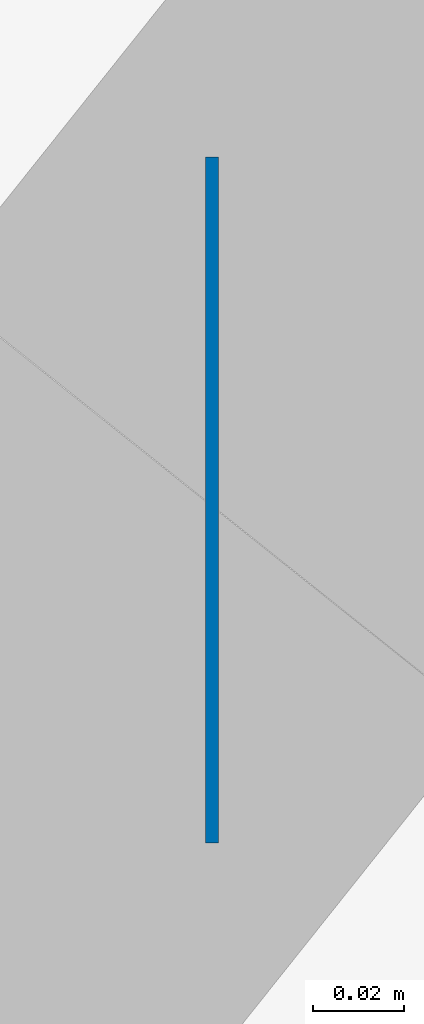
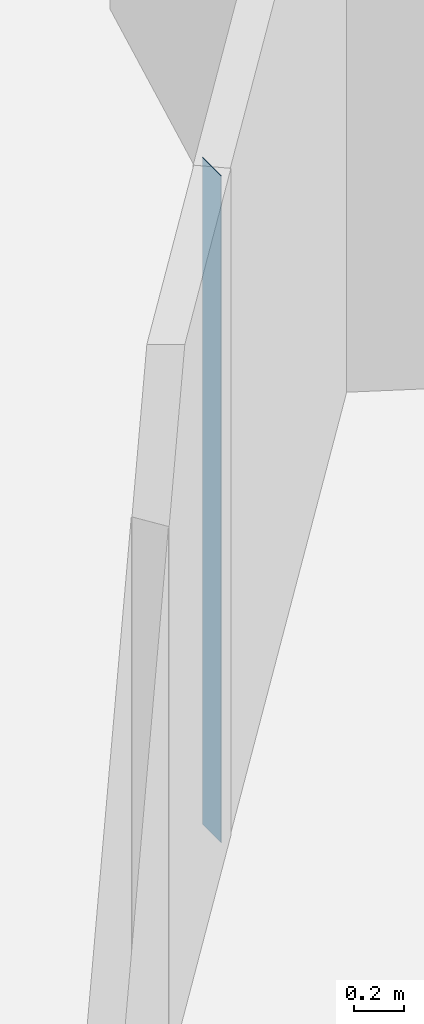
# One storey, part 5 of 12: 1 wall.
"""IFC4 building model written with IfcOpenShell, lengths in metres."""

import ifcopenshell
import ifcopenshell.guid

model = None  # the IFC model being written
_history = None  # IfcOwnerHistory: only IFC2X3 demands one
_inside = {}  # id of a spatial element -> (the spatial element, [elements in it])
_under = {}  # id of a project, library or spatial element -> (it, [spatial elements below it])
_declared = {}  # id of a project -> (the project, [libraries it declares])
_typed = {}  # id of a type object -> (the type object, [elements of that type])
_made_of = {}  # id of a material, layer set ... -> (it, [elements and type objects made of it])


def new_model(schema):
    """Start an empty IFC model of exactly this schema.

    Asked for "IFC4X3", IfcOpenShell would pick the latest addendum, in which some entities
    have other attributes; the version numbers below select the first issue.
    IFC2X3 requires an IfcOwnerHistory on every rooted entity: one is made here for all.
    """
    global model, _history
    if schema == "IFC4X3":
        model = ifcopenshell.file(schema_version=(4, 3, 0, 0))
    else:
        model = ifcopenshell.file(schema=schema)
    _inside.clear()
    _under.clear()
    _declared.clear()
    _typed.clear()
    _made_of.clear()
    _history = None
    if model.schema == "IFC2X3":
        org = make("IfcOrganization", Name="unknown")
        user = make(
            "IfcPersonAndOrganization",
            ThePerson=make("IfcPerson", FamilyName="unknown"),
            TheOrganization=org,
        )
        app = make(
            "IfcApplication",
            ApplicationDeveloper=org,
            Version="unknown",
            ApplicationFullName="unknown",
            ApplicationIdentifier="unknown",
        )
        _history = make(
            "IfcOwnerHistory",
            OwningUser=user,
            OwningApplication=app,
            ChangeAction="ADDED",
            CreationDate=0,
        )
    return model


def make(cls, **values):
    """One entity of the class cls with the attributes given. An attribute that is None is left unset."""
    return model.create_entity(
        cls, **{name: value for name, value in values.items() if value is not None}
    )


def rooted(cls, **values):
    """An entity with a GlobalId (a new one), such as an element, a storey or a relation."""
    return make(cls, GlobalId=ifcopenshell.guid.new(), OwnerHistory=_history, **values)


def si_unit(unit_type, name, prefix=None):
    """IfcSIUnit, for example si_unit("LENGTHUNIT", "METRE", prefix="MILLI")."""
    return make("IfcSIUnit", UnitType=unit_type, Prefix=prefix, Name=name)


def assignment(units):
    """IfcUnitAssignment: the units of a project."""
    return None if units is None else make("IfcUnitAssignment", Units=units)


def point(xyz):
    """IfcCartesianPoint."""
    return None if xyz is None else make("IfcCartesianPoint", Coordinates=xyz)


def direction(xyz):
    """IfcDirection."""
    return None if xyz is None else make("IfcDirection", DirectionRatios=xyz)


def frame(location, z_axis=None, x_axis=None):
    """IfcAxis2Placement3D, a coordinate frame: its origin and axes. An axis left out is left unset."""
    return make(
        "IfcAxis2Placement3D",
        Location=point(location),
        Axis=direction(z_axis),
        RefDirection=direction(x_axis),
    )


def frame_2d(location, x_axis=None):
    """IfcAxis2Placement2D, a coordinate frame in the plane: its origin and x axis."""
    return make(
        "IfcAxis2Placement2D", Location=point(location), RefDirection=direction(x_axis)
    )


def origin():
    """The frame at (0, 0, 0) with its axes left unset."""
    return frame((0.0, 0.0, 0.0))


def place(relative_to, where):
    """IfcLocalPlacement: puts the frame where relative to a parent placement (None: the world)."""
    return make(
        "IfcLocalPlacement", PlacementRelTo=relative_to, RelativePlacement=where
    )


def context(
    kind, dimensions, precision=None, world=None, true_north=None, identifier=None
):
    """IfcGeometricRepresentationContext, for example the 3D "Model" context."""
    return make(
        "IfcGeometricRepresentationContext",
        ContextIdentifier=identifier,
        ContextType=kind,
        CoordinateSpaceDimension=dimensions,
        Precision=precision,
        WorldCoordinateSystem=world,
        TrueNorth=true_north,
    )


def subcontext(parent, identifier, kind, view, scale=None):
    """IfcGeometricRepresentationSubContext, for example "Body" below "Model"."""
    return make(
        "IfcGeometricRepresentationSubContext",
        ContextIdentifier=identifier,
        ContextType=kind,
        ParentContext=parent,
        TargetScale=scale,
        TargetView=view,
    )


def project(units=None, contexts=None):
    """IfcProject with its units and contexts."""
    return rooted(
        "IfcProject",
        Name="project",
        RepresentationContexts=contexts,
        UnitsInContext=assignment(units),
    )


def spatial(cls, under=None, at=None, **own):
    """A site, building, storey or space (cls), placed at a placement, below another one or the project."""
    s = rooted(cls, ObjectPlacement=at, **own)
    if under is not None:
        _under.setdefault(under.id(), (under, []))[1].append(s)
    return s


def profile(cls, at=None, kind="AREA", **sizes):
    """A parametric profile (cls). Its sizes go by their IFC names, for example OverallWidth=200.0."""
    return make(cls, ProfileType=kind, Position=at, **sizes)


def rectangle(**sizes):
    """IfcRectangleProfileDef."""
    return profile("IfcRectangleProfileDef", **sizes)


def extrude(swept, where, along, depth):
    """IfcExtrudedAreaSolid: the profile swept, set in the frame where, extruded along a direction by depth."""
    return make(
        "IfcExtrudedAreaSolid",
        SweptArea=swept,
        Position=where,
        ExtrudedDirection=direction(along),
        Depth=depth,
    )


def shape(context_of_items, identifier, shape_type, items):
    """IfcShapeRepresentation: the items that make up one representation, for example the "Body"."""
    return make(
        "IfcShapeRepresentation",
        ContextOfItems=context_of_items,
        RepresentationIdentifier=identifier,
        RepresentationType=shape_type,
        Items=items,
    )


def material(Name=None, Category=None):
    """IfcMaterial."""
    return make("IfcMaterial", Name=Name, Category=Category)


def layer(
    of_material, thickness, ventilated=None, Name=None, Category=None, Priority=None
):
    """IfcMaterialLayer: one layer of a wall or slab, of a material (None: an air gap)."""
    return make(
        "IfcMaterialLayer",
        Material=of_material,
        LayerThickness=thickness,
        IsVentilated=ventilated,
        Name=Name,
        Category=Category,
        Priority=Priority,
    )


def layer_set(layers, Name=None):
    """IfcMaterialLayerSet."""
    return make("IfcMaterialLayerSet", MaterialLayers=layers, LayerSetName=Name)


def made_of(thing, what):
    """Note that an element or type object is made of a material, layer set ...; save() writes the relation."""
    if what is not None:
        _made_of.setdefault(what.id(), (what, []))[1].append(thing)
    return thing


def type_object(cls, material=None, **own):
    """A type object (cls), such as IfcWallType, which elements share."""
    return made_of(rooted(cls, **own), material)


def element(
    cls,
    number,
    at=None,
    inside=None,
    cuts=None,
    type_object=None,
    material=None,
    context=None,
    identifier="Body",
    shape_type=None,
    held_by="IfcProductDefinitionShape",
    body=None,
    shapes=None,
    **own,
):
    """One element of the class cls, such as IfcWall. Its Tag is "e" and its number.

    at: its placement. inside: the storey or other place that contains it. cuts: it is an
    opening in that element (IfcRelVoidsElement). A single representation is given by context,
    identifier, shape_type and body (its items); several are given by shapes. held_by: the class
    of the entity that holds the representations. save() writes the other relations.
    """
    e = rooted(cls, Tag="e%d" % number, ObjectPlacement=at, **own)
    if body is not None:
        shapes = [shape(context, identifier, shape_type, body)]
    if shapes is not None:
        e.Representation = make(held_by, Representations=shapes)
    if inside is not None:
        _inside.setdefault(inside.id(), (inside, []))[1].append(e)
    if cuts is not None:
        rooted(
            "IfcRelVoidsElement", RelatingBuildingElement=cuts, RelatedOpeningElement=e
        )
    if type_object is not None:
        _typed.setdefault(type_object.id(), (type_object, []))[1].append(e)
    return made_of(e, material)


def aggregate(whole, parts):
    """IfcRelAggregates: a whole, such as a stair, and the parts it consists of."""
    return rooted("IfcRelAggregates", RelatingObject=whole, RelatedObjects=parts)


def save(model, path):
    """Write the relations noted so far, then the file.

    IfcRelAggregates (storeys below a building ...), IfcRelContainedInSpatialStructure (elements
    in a storey), IfcRelDefinesByType, IfcRelAssociatesMaterial and IfcRelDeclares: one each for
    every whole, place, type object, material and project.
    """
    for whole, parts in _under.values():
        aggregate(whole, parts)
    for where, things in _inside.values():
        rooted(
            "IfcRelContainedInSpatialStructure",
            RelatedElements=things,
            RelatingStructure=where,
        )
    for kind, things in _typed.values():
        rooted("IfcRelDefinesByType", RelatedObjects=things, RelatingType=kind)
    for what, things in _made_of.values():
        rooted("IfcRelAssociatesMaterial", RelatedObjects=things, RelatingMaterial=what)
    for by, libraries in _declared.values():
        rooted("IfcRelDeclares", RelatingContext=by, RelatedDefinitions=libraries)
    model.write(path)


model = new_model("IFC4")

# Units and contexts
model_context = context("Model", 3, precision=1e-05, world=origin(), true_north=direction((0.0, 1.0)))
body_context = subcontext(model_context, "Body", "Model", "MODEL_VIEW")
ifc_project = project(units=[si_unit("LENGTHUNIT", "METRE"), si_unit("AREAUNIT", "SQUARE_METRE"), si_unit("VOLUMEUNIT", "CUBIC_METRE"), si_unit("PLANEANGLEUNIT", "RADIAN"), si_unit("MASSUNIT", "GRAM", prefix="KILO")], contexts=[model_context])

# Site, building, storey
site_placement = place(None, origin())
site = spatial("IfcSite", under=ifc_project, at=site_placement, CompositionType="ELEMENT")
building_placement = place(site_placement, origin())
building = spatial("IfcBuilding", under=site, at=building_placement, Name="Tracery Tower", CompositionType="ELEMENT")
storey_placement = place(building_placement, frame((0.0, 0.0, 283.800048828125)))
storey = spatial("IfcBuildingStorey", under=building, at=storey_placement, Name="L73", CompositionType="ELEMENT", Elevation=283.800048828125)

# Wall
ifc_material = material(Name="Plasterboard on steel studs", Category="steel")
ifc_layer = layer(ifc_material, 0.14990234375)
ifc_layer_set = layer_set([ifc_layer], Name="Partition 150 corridor wall")
wall_type = type_object("IfcWallType", Name="Partition 150 corridor wall", PredefinedType="PARTITIONING", material=ifc_layer_set)
wall_placement = place(storey_placement, frame((11.136962890625, -8.800048828125, 0.0), z_axis=(0.0, 0.0, 1.0), x_axis=(-1.0, 0.0, 0.0)))
element("IfcWall", 1, at=wall_placement, inside=storey, type_object=wall_type, Name="Corridor wall RC6-019", PredefinedType="PARTITIONING", context=body_context, shape_type="SweptSolid", body=[
    extrude(rectangle(XDim=0.0029296875, YDim=0.14990234375, at=frame_2d((0.00146484375, 0.0))), origin(), (0.0, 0.0, 1.0), 3.25),
])

save(model, "model.ifc")
